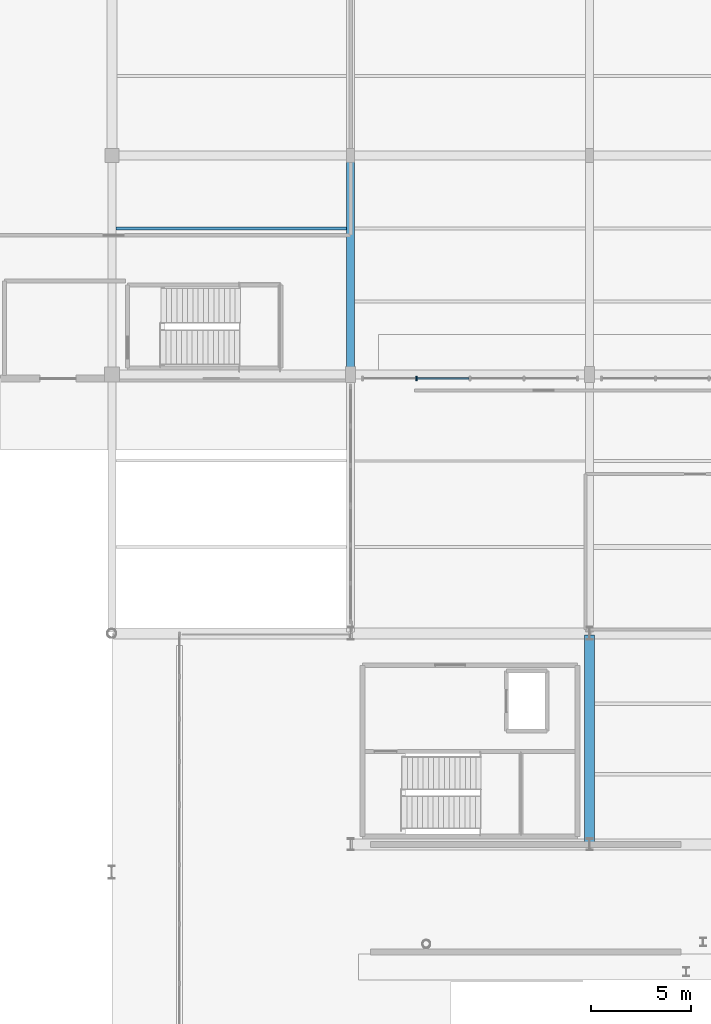
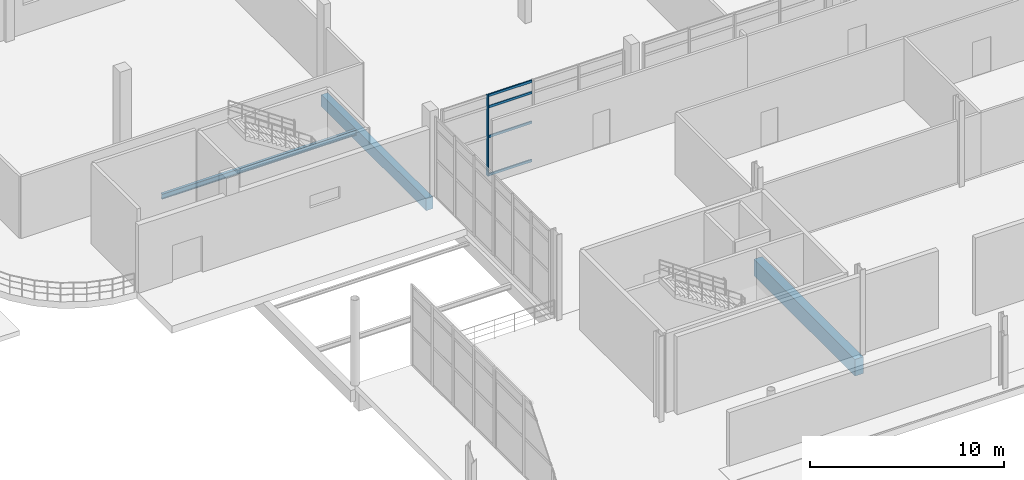
# One storey, part 25 of 85: 5 members, 3 beams, 1 element without a shape of its own.
"""IFC4 building model written with IfcOpenShell, lengths in metres."""

from ifc_helpers import new_model, si_unit, direction, frame, origin, origin_2d, place, context, subcontext, project, spatial, rectangle, i_section, extrude, material, material_profile, profile_set, type_object, element, aggregate, save


model = new_model("IFC4")

# Units and contexts
model_context = context("Model", 3, precision=1e-05, world=origin(), true_north=direction((0.0, 1.0)))
body_context = subcontext(model_context, "Body", "Model", "MODEL_VIEW")
ifc_project = project(units=[si_unit("LENGTHUNIT", "METRE"), si_unit("AREAUNIT", "SQUARE_METRE"), si_unit("VOLUMEUNIT", "CUBIC_METRE"), si_unit("PLANEANGLEUNIT", "RADIAN"), si_unit("MASSUNIT", "GRAM", prefix="KILO"), si_unit("THERMODYNAMICTEMPERATUREUNIT", "KELVIN"), si_unit("POWERUNIT", "WATT")], contexts=[model_context])

# Site, building, storey
site_placement = place(None, origin())
site = spatial("IfcSite", under=ifc_project, at=site_placement, CompositionType="ELEMENT")
building_placement = place(site_placement, origin())
building = spatial("IfcBuilding", under=site, at=building_placement, Name="Solmara Park Aquatics Centre", CompositionType="ELEMENT")
storey_placement = place(building_placement, origin())
storey = spatial("IfcBuildingStorey", under=building, at=storey_placement, Name="L00", CompositionType="ELEMENT", Elevation=0.0)

# Curtain wall, members
ifc_material_1 = material(Name="Anodised Aluminium Curtain Wall Framing", Category="aluminium")
curtain_wall_type = type_object("IfcCurtainWallType", Name="ARC-CW-SYS02", PredefinedType="USERDEFINED", material=ifc_material_1)
curtain_wall_placement = place(storey_placement, origin())
curtain_wall = element("IfcCurtainWall", 1, at=curtain_wall_placement, inside=storey, type_object=curtain_wall_type, Name="Curtain Wall CW-107", ObjectType="CURTAIN WALL", PredefinedType="USERDEFINED")
ifc_material_2 = material(Name="Anodised Aluminium Alloy 6063-T6", Category="aluminium")
ifc_material_profile_1 = material_profile(ifc_material_2, rectangle(XDim=0.074951171875, YDim=0.219970703125, at=origin_2d()), Name="ALU MULLION 75x220")
ifc_profile_set_1 = profile_set([ifc_material_profile_1], Name="Anodised Aluminium Alloy 6063-T6")
member_type_1 = type_object("IfcMemberType", Name="ARC-CWM-75x220", PredefinedType="MULLION", material=ifc_profile_set_1)
member_1_placement = place(storey_placement, frame((27.89990234375, 85.39990234375, 0.0), z_axis=(0.0, 0.0, 1.0), x_axis=(1.0, 0.0, 0.0)))
member_1 = element("IfcMember", 2, at=member_1_placement, type_object=member_type_1, Name="CW-107 mullion 2", PredefinedType="MULLION", context=body_context, shape_type="SweptSolid", body=[
    extrude(rectangle(XDim=0.074951171875, YDim=0.219970703125, at=origin_2d()), origin(), (0.0, 0.0, 1.0), 5.080078125),
])
ifc_material_profile_2 = material_profile(ifc_material_2, rectangle(XDim=0.074951171875, YDim=0.14990234375, at=origin_2d()), Name="ALU TRANSOM 75x150")
ifc_profile_set_2 = profile_set([ifc_material_profile_2], Name="Anodised Aluminium Alloy 6063-T6")
member_type_2 = type_object("IfcMemberType", Name="ARC-CWT-75x150", PredefinedType="USERDEFINED", material=ifc_profile_set_2)
member_2_placement = place(storey_placement, frame((27.919921875, 85.39990234375, 0.0400390625), z_axis=(1.0, 0.0, 0.0), x_axis=(0.0, 1.0, 0.0)))
member_2 = element("IfcMember", 3, at=member_2_placement, type_object=member_type_2, Name="CW-107 transom 5", ObjectType="TRANSOM", PredefinedType="USERDEFINED", context=body_context, shape_type="SweptSolid", body=[
    extrude(rectangle(XDim=0.074951171875, YDim=0.14990234375, at=origin_2d()), origin(), (0.0, 0.0, 1.0), 2.6201171875),
])
member_3_placement = place(storey_placement, frame((27.919921875, 85.39990234375, 2.449951171875), z_axis=(1.0, 0.0, 0.0), x_axis=(0.0, 1.0, 0.0)))
member_3 = element("IfcMember", 4, at=member_3_placement, type_object=member_type_2, Name="CW-107 transom 6", ObjectType="TRANSOM", PredefinedType="USERDEFINED", context=body_context, shape_type="SweptSolid", body=[
    extrude(rectangle(XDim=0.074951171875, YDim=0.14990234375, at=origin_2d()), origin(), (0.0, 0.0, 1.0), 2.6201171875),
])
member_4_placement = place(storey_placement, frame((27.919921875, 85.39990234375, 4.330078125), z_axis=(1.0, 0.0, 0.0), x_axis=(0.0, 1.0, 0.0)))
member_4 = element("IfcMember", 5, at=member_4_placement, type_object=member_type_2, Name="CW-107 transom 7", ObjectType="TRANSOM", PredefinedType="USERDEFINED", context=body_context, shape_type="SweptSolid", body=[
    extrude(rectangle(XDim=0.074951171875, YDim=0.14990234375, at=origin_2d()), origin(), (0.0, 0.0, 1.0), 2.6201171875),
])
member_5_placement = place(storey_placement, frame((27.919921875, 85.39990234375, 5.0400390625), z_axis=(1.0, 0.0, 0.0), x_axis=(0.0, 1.0, 0.0)))
member_5 = element("IfcMember", 6, at=member_5_placement, type_object=member_type_2, Name="CW-107 transom 8", ObjectType="TRANSOM", PredefinedType="USERDEFINED", context=body_context, shape_type="SweptSolid", body=[
    extrude(rectangle(XDim=0.074951171875, YDim=0.14990234375, at=origin_2d()), origin(), (0.0, 0.0, 1.0), 2.6201171875),
])
aggregate(curtain_wall, [member_1, member_2, member_3, member_4, member_5])

# Beams
ifc_material_3 = material(Name="Concrete C40/50", Category="concrete")
ifc_material_profile_3 = material_profile(ifc_material_3, rectangle(XDim=0.39990234375, YDim=0.75, at=origin_2d()), Name="RC 400x750")
ifc_profile_set_3 = profile_set([ifc_material_profile_3], Name="Concrete C40/50")
beam_type_1 = type_object("IfcBeamType", Name="STR-BM-RC400x750", PredefinedType="BEAM", material=ifc_profile_set_3)
beam_1_placement = place(storey_placement, frame((24.60009765625, 85.679931640625, -0.794921875), z_axis=(0.0, 1.0, 0.0), x_axis=(-1.0, 0.0, 0.0)))
element("IfcBeam", 7, at=beam_1_placement, inside=storey, type_object=beam_type_1, Name="Girder BM-L00-0114", PredefinedType="BEAM", context=body_context, shape_type="SweptSolid", body=[
    extrude(rectangle(XDim=0.39990234375, YDim=0.75, at=origin_2d()), origin(), (0.0, 0.0, 1.0), 10.840087890625),
])
ifc_material_profile_4 = material_profile(ifc_material_3, rectangle(XDim=0.5, YDim=1.050048828125, at=origin_2d()), Name="RC 500x1050")
ifc_profile_set_4 = profile_set([ifc_material_profile_4], Name="Concrete C40/50")
beam_type_2 = type_object("IfcBeamType", Name="STR-BM-RC500x1050", PredefinedType="BEAM", material=ifc_profile_set_4)
beam_2_placement = place(storey_placement, frame((36.60009765625, 62.080078125, -0.945068359375), z_axis=(0.0, 1.0, 0.0), x_axis=(-1.0, 0.0, 0.0)))
element("IfcBeam", 8, at=beam_2_placement, inside=storey, type_object=beam_type_2, Name="Girder BM-L00-0022", PredefinedType="BEAM", context=body_context, shape_type="SweptSolid", body=[
    extrude(rectangle(XDim=0.5, YDim=1.050048828125, at=origin_2d()), origin(), (0.0, 0.0, 1.0), 10.43994140625),
])
ifc_material_4 = material(Name="Structural Steel S355", Category="steel")
ifc_material_profile_5 = material_profile(ifc_material_4, i_section(OverallWidth=0.159912109375, OverallDepth=0.330078125, WebThickness=0.007568359375, FlangeThickness=0.011474609375, FilletRadius=0.01806640625, at=origin_2d()), Name="IPE 330")
ifc_profile_set_5 = profile_set([ifc_material_profile_5], Name="Structural Steel S355")
beam_type_3 = type_object("IfcBeamType", Name="STR-JST-IPE330", PredefinedType="JOIST", material=ifc_profile_set_5)
beam_3_placement = place(storey_placement, frame((12.800048828125, 92.933349609375, -0.5849609375), z_axis=(1.0, 0.0, 0.0), x_axis=(0.0, 1.0, 0.0)))
element("IfcBeam", 9, at=beam_3_placement, inside=storey, type_object=beam_type_3, Name="Floor Joist JST-L00-0060", PredefinedType="JOIST", context=body_context, shape_type="SweptSolid", body=[
    extrude(i_section(OverallWidth=0.159912109375, OverallDepth=0.330078125, WebThickness=0.007568359375, FlangeThickness=0.011474609375, FilletRadius=0.01806640625, at=origin_2d()), origin(), (0.0, 0.0, 1.0), 11.599853515625),
])

save(model, "model.ifc")
